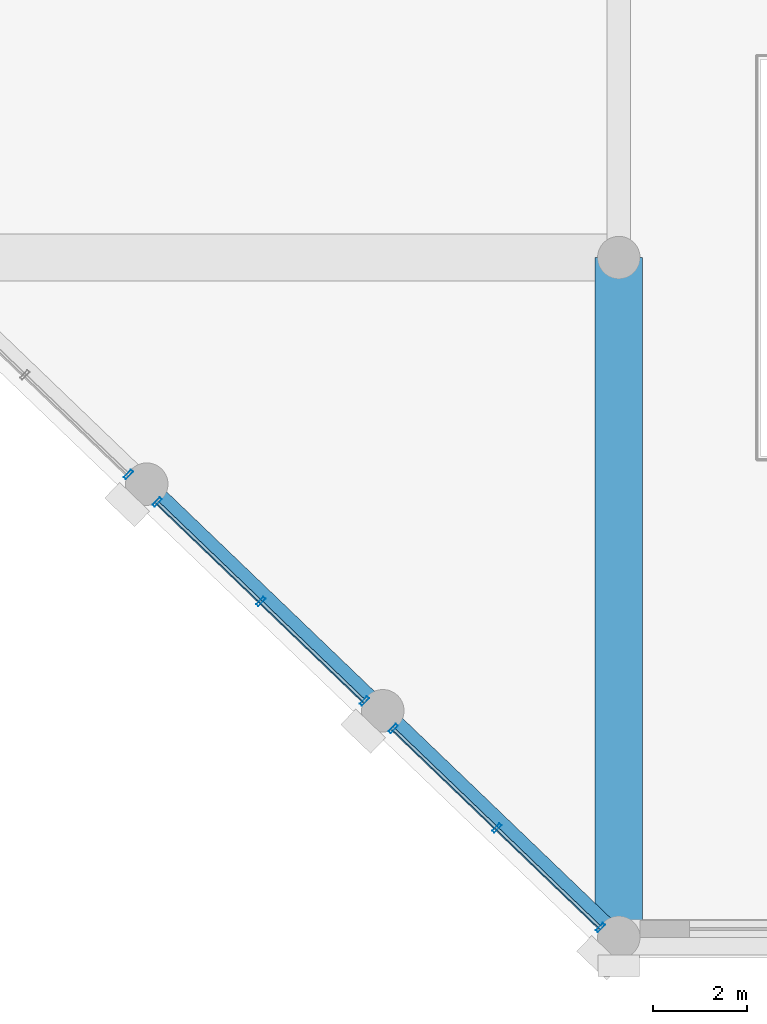
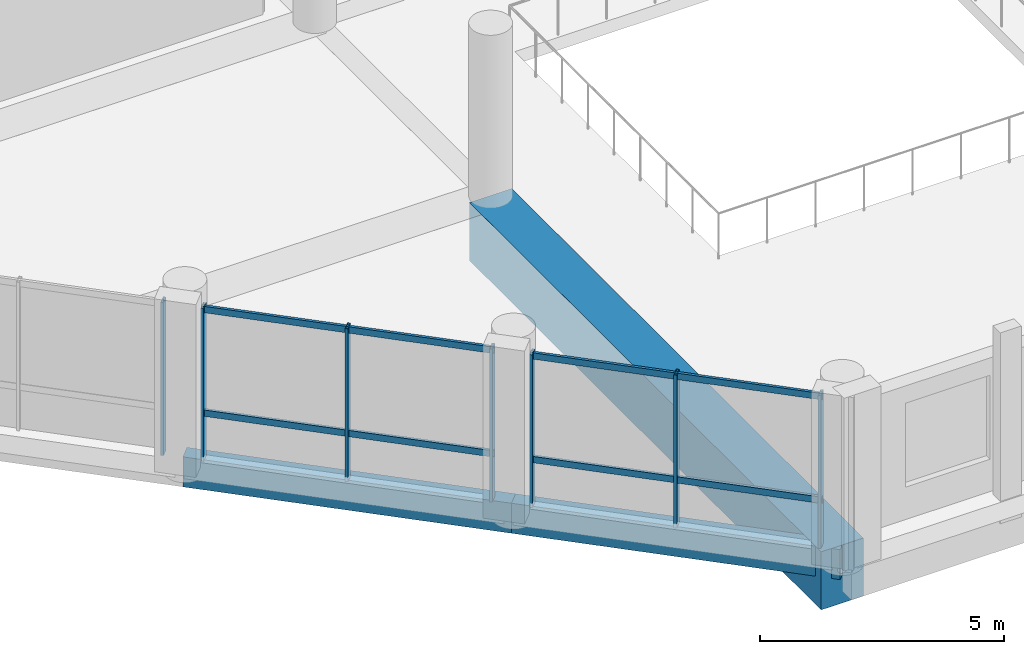
# One storey, part 8 of 68: 11 members, 3 beams, 3 elements without a shape of their own.
"""IFC4 building model written with IfcOpenShell, lengths in metres."""

import ifcopenshell
import ifcopenshell.guid

model = None  # the IFC model being written
_history = None  # IfcOwnerHistory: only IFC2X3 demands one
_inside = {}  # id of a spatial element -> (the spatial element, [elements in it])
_under = {}  # id of a project, library or spatial element -> (it, [spatial elements below it])
_declared = {}  # id of a project -> (the project, [libraries it declares])
_typed = {}  # id of a type object -> (the type object, [elements of that type])
_made_of = {}  # id of a material, layer set ... -> (it, [elements and type objects made of it])


def new_model(schema):
    """Start an empty IFC model of exactly this schema.

    Asked for "IFC4X3", IfcOpenShell would pick the latest addendum, in which some entities
    have other attributes; the version numbers below select the first issue.
    IFC2X3 requires an IfcOwnerHistory on every rooted entity: one is made here for all.
    """
    global model, _history
    if schema == "IFC4X3":
        model = ifcopenshell.file(schema_version=(4, 3, 0, 0))
    else:
        model = ifcopenshell.file(schema=schema)
    _inside.clear()
    _under.clear()
    _declared.clear()
    _typed.clear()
    _made_of.clear()
    _history = None
    if model.schema == "IFC2X3":
        org = make("IfcOrganization", Name="unknown")
        user = make(
            "IfcPersonAndOrganization",
            ThePerson=make("IfcPerson", FamilyName="unknown"),
            TheOrganization=org,
        )
        app = make(
            "IfcApplication",
            ApplicationDeveloper=org,
            Version="unknown",
            ApplicationFullName="unknown",
            ApplicationIdentifier="unknown",
        )
        _history = make(
            "IfcOwnerHistory",
            OwningUser=user,
            OwningApplication=app,
            ChangeAction="ADDED",
            CreationDate=0,
        )
    return model


def make(cls, **values):
    """One entity of the class cls with the attributes given. An attribute that is None is left unset."""
    return model.create_entity(
        cls, **{name: value for name, value in values.items() if value is not None}
    )


def rooted(cls, **values):
    """An entity with a GlobalId (a new one), such as an element, a storey or a relation."""
    return make(cls, GlobalId=ifcopenshell.guid.new(), OwnerHistory=_history, **values)


def si_unit(unit_type, name, prefix=None):
    """IfcSIUnit, for example si_unit("LENGTHUNIT", "METRE", prefix="MILLI")."""
    return make("IfcSIUnit", UnitType=unit_type, Prefix=prefix, Name=name)


def assignment(units):
    """IfcUnitAssignment: the units of a project."""
    return None if units is None else make("IfcUnitAssignment", Units=units)


def point(xyz):
    """IfcCartesianPoint."""
    return None if xyz is None else make("IfcCartesianPoint", Coordinates=xyz)


def direction(xyz):
    """IfcDirection."""
    return None if xyz is None else make("IfcDirection", DirectionRatios=xyz)


def frame(location, z_axis=None, x_axis=None):
    """IfcAxis2Placement3D, a coordinate frame: its origin and axes. An axis left out is left unset."""
    return make(
        "IfcAxis2Placement3D",
        Location=point(location),
        Axis=direction(z_axis),
        RefDirection=direction(x_axis),
    )


def frame_2d(location, x_axis=None):
    """IfcAxis2Placement2D, a coordinate frame in the plane: its origin and x axis."""
    return make(
        "IfcAxis2Placement2D", Location=point(location), RefDirection=direction(x_axis)
    )


def origin():
    """The frame at (0, 0, 0) with its axes left unset."""
    return frame((0.0, 0.0, 0.0))


def origin_2d():
    """The frame at (0, 0) in the plane with its x axis left unset."""
    return frame_2d((0.0, 0.0))


def place(relative_to, where):
    """IfcLocalPlacement: puts the frame where relative to a parent placement (None: the world)."""
    return make(
        "IfcLocalPlacement", PlacementRelTo=relative_to, RelativePlacement=where
    )


def context(
    kind, dimensions, precision=None, world=None, true_north=None, identifier=None
):
    """IfcGeometricRepresentationContext, for example the 3D "Model" context."""
    return make(
        "IfcGeometricRepresentationContext",
        ContextIdentifier=identifier,
        ContextType=kind,
        CoordinateSpaceDimension=dimensions,
        Precision=precision,
        WorldCoordinateSystem=world,
        TrueNorth=true_north,
    )


def subcontext(parent, identifier, kind, view, scale=None):
    """IfcGeometricRepresentationSubContext, for example "Body" below "Model"."""
    return make(
        "IfcGeometricRepresentationSubContext",
        ContextIdentifier=identifier,
        ContextType=kind,
        ParentContext=parent,
        TargetScale=scale,
        TargetView=view,
    )


def project(units=None, contexts=None):
    """IfcProject with its units and contexts."""
    return rooted(
        "IfcProject",
        Name="project",
        RepresentationContexts=contexts,
        UnitsInContext=assignment(units),
    )


def spatial(cls, under=None, at=None, **own):
    """A site, building, storey or space (cls), placed at a placement, below another one or the project."""
    s = rooted(cls, ObjectPlacement=at, **own)
    if under is not None:
        _under.setdefault(under.id(), (under, []))[1].append(s)
    return s


def profile(cls, at=None, kind="AREA", **sizes):
    """A parametric profile (cls). Its sizes go by their IFC names, for example OverallWidth=200.0."""
    return make(cls, ProfileType=kind, Position=at, **sizes)


def rectangle(**sizes):
    """IfcRectangleProfileDef."""
    return profile("IfcRectangleProfileDef", **sizes)


def hollow_rectangle(**sizes):
    """IfcRectangleHollowProfileDef."""
    return profile("IfcRectangleHollowProfileDef", **sizes)


def extrude(swept, where, along, depth):
    """IfcExtrudedAreaSolid: the profile swept, set in the frame where, extruded along a direction by depth."""
    return make(
        "IfcExtrudedAreaSolid",
        SweptArea=swept,
        Position=where,
        ExtrudedDirection=direction(along),
        Depth=depth,
    )


def shape(context_of_items, identifier, shape_type, items):
    """IfcShapeRepresentation: the items that make up one representation, for example the "Body"."""
    return make(
        "IfcShapeRepresentation",
        ContextOfItems=context_of_items,
        RepresentationIdentifier=identifier,
        RepresentationType=shape_type,
        Items=items,
    )


def material(Name=None, Category=None):
    """IfcMaterial."""
    return make("IfcMaterial", Name=Name, Category=Category)


def material_profile(
    of_material, cross_section, Name=None, Category=None, Priority=None
):
    """IfcMaterialProfile: a cross section and its material."""
    return make(
        "IfcMaterialProfile",
        Name=Name,
        Material=of_material,
        Profile=cross_section,
        Priority=Priority,
        Category=Category,
    )


def profile_set(profiles, Name=None, composite=None):
    """IfcMaterialProfileSet."""
    return make(
        "IfcMaterialProfileSet",
        Name=Name,
        MaterialProfiles=profiles,
        CompositeProfile=composite,
    )


def made_of(thing, what):
    """Note that an element or type object is made of a material, layer set ...; save() writes the relation."""
    if what is not None:
        _made_of.setdefault(what.id(), (what, []))[1].append(thing)
    return thing


def type_object(cls, material=None, **own):
    """A type object (cls), such as IfcWallType, which elements share."""
    return made_of(rooted(cls, **own), material)


def element(
    cls,
    number,
    at=None,
    inside=None,
    cuts=None,
    type_object=None,
    material=None,
    context=None,
    identifier="Body",
    shape_type=None,
    held_by="IfcProductDefinitionShape",
    body=None,
    shapes=None,
    **own,
):
    """One element of the class cls, such as IfcWall. Its Tag is "e" and its number.

    at: its placement. inside: the storey or other place that contains it. cuts: it is an
    opening in that element (IfcRelVoidsElement). A single representation is given by context,
    identifier, shape_type and body (its items); several are given by shapes. held_by: the class
    of the entity that holds the representations. save() writes the other relations.
    """
    e = rooted(cls, Tag="e%d" % number, ObjectPlacement=at, **own)
    if body is not None:
        shapes = [shape(context, identifier, shape_type, body)]
    if shapes is not None:
        e.Representation = make(held_by, Representations=shapes)
    if inside is not None:
        _inside.setdefault(inside.id(), (inside, []))[1].append(e)
    if cuts is not None:
        rooted(
            "IfcRelVoidsElement", RelatingBuildingElement=cuts, RelatedOpeningElement=e
        )
    if type_object is not None:
        _typed.setdefault(type_object.id(), (type_object, []))[1].append(e)
    return made_of(e, material)


def aggregate(whole, parts):
    """IfcRelAggregates: a whole, such as a stair, and the parts it consists of."""
    return rooted("IfcRelAggregates", RelatingObject=whole, RelatedObjects=parts)


def save(model, path):
    """Write the relations noted so far, then the file.

    IfcRelAggregates (storeys below a building ...), IfcRelContainedInSpatialStructure (elements
    in a storey), IfcRelDefinesByType, IfcRelAssociatesMaterial and IfcRelDeclares: one each for
    every whole, place, type object, material and project.
    """
    for whole, parts in _under.values():
        aggregate(whole, parts)
    for where, things in _inside.values():
        rooted(
            "IfcRelContainedInSpatialStructure",
            RelatedElements=things,
            RelatingStructure=where,
        )
    for kind, things in _typed.values():
        rooted("IfcRelDefinesByType", RelatedObjects=things, RelatingType=kind)
    for what, things in _made_of.values():
        rooted("IfcRelAssociatesMaterial", RelatedObjects=things, RelatingMaterial=what)
    for by, libraries in _declared.values():
        rooted("IfcRelDeclares", RelatingContext=by, RelatedDefinitions=libraries)
    model.write(path)


model = new_model("IFC4")

# Units and contexts
model_context = context("Model", 3, precision=1e-05, world=origin(), true_north=direction((0.0, 1.0)))
body_context = subcontext(model_context, "Body", "Model", "MODEL_VIEW")
ifc_project = project(units=[si_unit("LENGTHUNIT", "METRE"), si_unit("AREAUNIT", "SQUARE_METRE"), si_unit("VOLUMEUNIT", "CUBIC_METRE"), si_unit("PLANEANGLEUNIT", "RADIAN"), si_unit("MASSUNIT", "GRAM", prefix="KILO")], contexts=[model_context])

# Site, building, storey
site_placement = place(None, origin())
site = spatial("IfcSite", under=ifc_project, at=site_placement, CompositionType="ELEMENT")
building_placement = place(site_placement, origin())
building = spatial("IfcBuilding", under=site, at=building_placement, Name="Akrevak Sports Hall", CompositionType="ELEMENT")
storey_placement = place(building_placement, frame((0.0, 0.0, 9.39990234375)))
storey = spatial("IfcBuildingStorey", under=building, at=storey_placement, Name="L02", CompositionType="ELEMENT", Elevation=9.39990234375)

# Curtain wall, members
ifc_material_1 = material(Name="Anodized Bronze Aluminium & Low-E Glass", Category="aluminium")
curtain_wall_type = type_object("IfcCurtainWallType", Name="ARC-CW-POD-64x44", PredefinedType="NOTDEFINED", material=ifc_material_1)
curtain_wall_1_placement = place(storey_placement, origin())
curtain_wall_1 = element("IfcCurtainWall", 1, at=curtain_wall_1_placement, inside=storey, type_object=curtain_wall_type, Name="Curtain Wall CW-L02-CH1", PredefinedType="NOTDEFINED")
ifc_material_2 = material(Name="Anodized Bronze Aluminium", Category="aluminium")
ifc_material_profile_1 = material_profile(ifc_material_2, hollow_rectangle(XDim=0.06494140625, YDim=0.219970703125, WallThickness=0.00439453125, at=origin_2d()), Name="CWM 65x220", Category="aluminium")
ifc_profile_set_1 = profile_set([ifc_material_profile_1], Name="Anodized Bronze Aluminium")
member_type_1 = type_object("IfcMemberType", Name="ARC-CWM-70x160", PredefinedType="MULLION", material=ifc_profile_set_1)
member_1_placement = place(storey_placement, frame((14.612060546875, 0.2060546875, 0.0), z_axis=(0.0, 0.0, 1.0), x_axis=(-0.721397723859, 0.692520991747, 0.0)))
member_1 = element("IfcMember", 2, at=member_1_placement, type_object=member_type_1, Name="Curtain Wall Mullion CW-L02-CH1-M1", PredefinedType="MULLION", context=body_context, shape_type="SweptSolid", body=[
    extrude(hollow_rectangle(XDim=0.06494140625, YDim=0.219970703125, WallThickness=0.00439453125, at=origin_2d()), origin(), (0.0, 0.0, 1.0), 3.820068359375),
])
member_2_placement = place(storey_placement, frame((12.4169921875, 2.3134765625, 0.0), z_axis=(0.0, 0.0, 1.0), x_axis=(-0.721397723859, 0.692520991747, 0.0)))
member_2 = element("IfcMember", 3, at=member_2_placement, type_object=member_type_1, Name="Curtain Wall Mullion CW-L02-CH1-M2", PredefinedType="MULLION", context=body_context, shape_type="SweptSolid", body=[
    extrude(hollow_rectangle(XDim=0.06494140625, YDim=0.219970703125, WallThickness=0.00439453125, at=origin_2d()), origin(), (0.0, 0.0, 1.0), 3.820068359375),
])
member_3_placement = place(storey_placement, frame((10.2216796875, 4.4208984375, 0.0), z_axis=(0.0, 0.0, 1.0), x_axis=(-0.721397723859, 0.692520991747, 0.0)))
member_3 = element("IfcMember", 4, at=member_3_placement, type_object=member_type_1, Name="Curtain Wall Mullion CW-L02-CH1-M3", PredefinedType="MULLION", context=body_context, shape_type="SweptSolid", body=[
    extrude(hollow_rectangle(XDim=0.06494140625, YDim=0.219970703125, WallThickness=0.00439453125, at=origin_2d()), origin(), (0.0, 0.0, 1.0), 3.820068359375),
])

curtain_wall_2_placement = place(storey_placement, origin())
curtain_wall_2 = element("IfcCurtainWall", 5, at=curtain_wall_2_placement, inside=storey, type_object=curtain_wall_type, Name="Curtain Wall CW-L02-CH2", PredefinedType="NOTDEFINED")
member_4_placement = place(storey_placement, frame((9.612060546875, 5.006103515625, 0.0), z_axis=(0.0, 0.0, 1.0), x_axis=(-0.721397723859, 0.692520991747, 0.0)))
member_4 = element("IfcMember", 6, at=member_4_placement, type_object=member_type_1, Name="Curtain Wall Mullion CW-L02-CH2-M1", PredefinedType="MULLION", context=body_context, shape_type="SweptSolid", body=[
    extrude(hollow_rectangle(XDim=0.06494140625, YDim=0.219970703125, WallThickness=0.00439453125, at=origin_2d()), origin(), (0.0, 0.0, 1.0), 3.820068359375),
])
member_5_placement = place(storey_placement, frame((7.4169921875, 7.11328125, 0.0), z_axis=(0.0, 0.0, 1.0), x_axis=(-0.721397723859, 0.692520991747, 0.0)))
member_5 = element("IfcMember", 7, at=member_5_placement, type_object=member_type_1, Name="Curtain Wall Mullion CW-L02-CH2-M2", PredefinedType="MULLION", context=body_context, shape_type="SweptSolid", body=[
    extrude(hollow_rectangle(XDim=0.06494140625, YDim=0.219970703125, WallThickness=0.00439453125, at=origin_2d()), origin(), (0.0, 0.0, 1.0), 3.820068359375),
])
member_6_placement = place(storey_placement, frame((5.2216796875, 9.220703125, 0.0), z_axis=(0.0, 0.0, 1.0), x_axis=(-0.721397723859, 0.692520991747, 0.0)))
member_6 = element("IfcMember", 8, at=member_6_placement, type_object=member_type_1, Name="Curtain Wall Mullion CW-L02-CH2-M3", PredefinedType="MULLION", context=body_context, shape_type="SweptSolid", body=[
    extrude(hollow_rectangle(XDim=0.06494140625, YDim=0.219970703125, WallThickness=0.00439453125, at=origin_2d()), origin(), (0.0, 0.0, 1.0), 3.820068359375),
])

# Curtain wall, member
curtain_wall_3_placement = place(storey_placement, origin())
curtain_wall_3 = element("IfcCurtainWall", 9, at=curtain_wall_3_placement, inside=storey, type_object=curtain_wall_type, Name="Curtain Wall CW-L02-CH3", PredefinedType="NOTDEFINED")
member_7_placement = place(storey_placement, frame((4.612060546875, 9.805908203125, 0.0), z_axis=(0.0, 0.0, 1.0), x_axis=(-0.721397723859, 0.692520991747, 0.0)))
member_7 = element("IfcMember", 10, at=member_7_placement, type_object=member_type_1, Name="Curtain Wall Mullion CW-L02-CH3-M1", PredefinedType="MULLION", context=body_context, shape_type="SweptSolid", body=[
    extrude(hollow_rectangle(XDim=0.06494140625, YDim=0.219970703125, WallThickness=0.00439453125, at=origin_2d()), origin(), (0.0, 0.0, 1.0), 3.820068359375),
])
aggregate(curtain_wall_3, [member_7])

# Member
ifc_material_profile_2 = material_profile(ifc_material_2, hollow_rectangle(XDim=0.06494140625, YDim=0.159912109375, WallThickness=0.00390625, at=origin_2d()), Name="CWT 65x160", Category="aluminium")
ifc_profile_set_2 = profile_set([ifc_material_profile_2], Name="Anodized Bronze Aluminium")
member_type_2 = type_object("IfcMemberType", Name="ARC-CWT-70x130", PredefinedType="USERDEFINED", material=ifc_profile_set_2)
member_8_placement = place(storey_placement, frame((14.64111328125, 0.17822265625, 1.150146484375), z_axis=(-0.72139127706, 0.692527707303, 0.0), x_axis=(-0.692527707303, -0.72139127706, 0.0)))
member_8 = element("IfcMember", 11, at=member_8_placement, type_object=member_type_2, Name="Curtain Wall Transom CW-L02-CH1-T1", ObjectType="TRANSOM", PredefinedType="USERDEFINED", context=body_context, shape_type="SweptSolid", body=[
    extrude(hollow_rectangle(XDim=0.06494140625, YDim=0.159912109375, WallThickness=0.00390625, at=origin_2d()), origin(), (0.0, 0.0, 1.0), 6.166259765625),
])

member_9_placement = place(storey_placement, frame((14.64111328125, 0.17822265625, 3.739990234375), z_axis=(-0.72139127706, 0.692527707303, 0.0), x_axis=(-0.692527707303, -0.72139127706, 0.0)))
member_9 = element("IfcMember", 12, at=member_9_placement, type_object=member_type_2, Name="Curtain Wall Transom CW-L02-CH1-T2", ObjectType="TRANSOM", PredefinedType="USERDEFINED", context=body_context, shape_type="SweptSolid", body=[
    extrude(hollow_rectangle(XDim=0.06494140625, YDim=0.159912109375, WallThickness=0.00390625, at=origin_2d()), origin(), (0.0, 0.0, 1.0), 6.166259765625),
])

aggregate(curtain_wall_1, [member_1, member_2, member_3, member_8, member_9])

member_10_placement = place(storey_placement, frame((9.64111328125, 4.978271484375, 1.150146484375), z_axis=(-0.72139127706, 0.692527707303, 0.0), x_axis=(-0.692527707303, -0.72139127706, 0.0)))
member_10 = element("IfcMember", 13, at=member_10_placement, type_object=member_type_2, Name="Curtain Wall Transom CW-L02-CH2-T1", ObjectType="TRANSOM", PredefinedType="USERDEFINED", context=body_context, shape_type="SweptSolid", body=[
    extrude(hollow_rectangle(XDim=0.06494140625, YDim=0.159912109375, WallThickness=0.00390625, at=origin_2d()), origin(), (0.0, 0.0, 1.0), 6.166259765625),
])

member_11_placement = place(storey_placement, frame((9.64111328125, 4.978271484375, 3.739990234375), z_axis=(-0.72139127706, 0.692527707303, 0.0), x_axis=(-0.692527707303, -0.72139127706, 0.0)))
member_11 = element("IfcMember", 14, at=member_11_placement, type_object=member_type_2, Name="Curtain Wall Transom CW-L02-CH2-T2", ObjectType="TRANSOM", PredefinedType="USERDEFINED", context=body_context, shape_type="SweptSolid", body=[
    extrude(hollow_rectangle(XDim=0.06494140625, YDim=0.159912109375, WallThickness=0.00390625, at=origin_2d()), origin(), (0.0, 0.0, 1.0), 6.166259765625),
])

aggregate(curtain_wall_2, [member_4, member_5, member_6, member_10, member_11])

# Beams
ifc_material_3 = material(Name="Concrete C50/60", Category="concrete")
ifc_material_profile_3 = material_profile(ifc_material_3, rectangle(XDim=1.0, YDim=1.449951171875, at=origin_2d()), Name="BM 1000x1450", Category="concrete")
ifc_profile_set_3 = profile_set([ifc_material_profile_3], Name="Concrete C50/60")
beam_type_1 = type_object("IfcBeamType", Name="STR-BM-LG1000x1450", PredefinedType="BEAM", material=ifc_profile_set_3)
beam_placement = place(storey_placement, frame((15.0, 0.0, -0.724853515625), z_axis=(0.0, 1.0, 0.0), x_axis=(-1.0, 0.0, 0.0)))
element("IfcBeam", 15, at=beam_placement, inside=storey, type_object=beam_type_1, Name="Girder 3/A-C (L02)", PredefinedType="BEAM", context=body_context, shape_type="SweptSolid", body=[
    extrude(rectangle(XDim=1.0, YDim=1.449951171875, at=origin_2d()), origin(), (0.0, 0.0, 1.0), 14.39990234375),
])
ifc_material_4 = material(Name="Concrete C40/50", Category="concrete")
ifc_material_profile_4 = material_profile(ifc_material_4, rectangle(XDim=0.35009765625, YDim=0.75, at=origin_2d()), Name="SPD 350x750", Category="concrete")
ifc_profile_set_4 = profile_set([ifc_material_profile_4], Name="Concrete C40/50")
beam_type_2 = type_object("IfcBeamType", Name="STR-SPD-RC350x750", PredefinedType="SPANDREL", material=ifc_profile_set_4)
for number, where, z_axis, x_axis, name in (
    (16, (15.0, 0.0, -0.375), (-0.721383801573, 0.692535494273, 0.0), (-0.692535494273, -0.721383801573, 0.0), "Chamfer Colonnade Spandrel Girder 1 (L02)"),
    (17, (10.0, 4.800048828125, -0.375), (-0.721383801573, 0.692535494273, 0.0), (-0.692535494273, -0.721383801573, 0.0), "Chamfer Colonnade Spandrel Girder 2 (L02)"),
):
    element("IfcBeam", number, at=place(storey_placement, frame(where, z_axis=z_axis, x_axis=x_axis)), inside=storey, type_object=beam_type_2, Name=name, PredefinedType="SPANDREL", context=body_context, shape_type="SweptSolid", body=[
        extrude(rectangle(XDim=0.35009765625, YDim=0.75, at=origin_2d()), origin(), (0.0, 0.0, 1.0), 6.93115234375),
    ])

save(model, "model.ifc")
